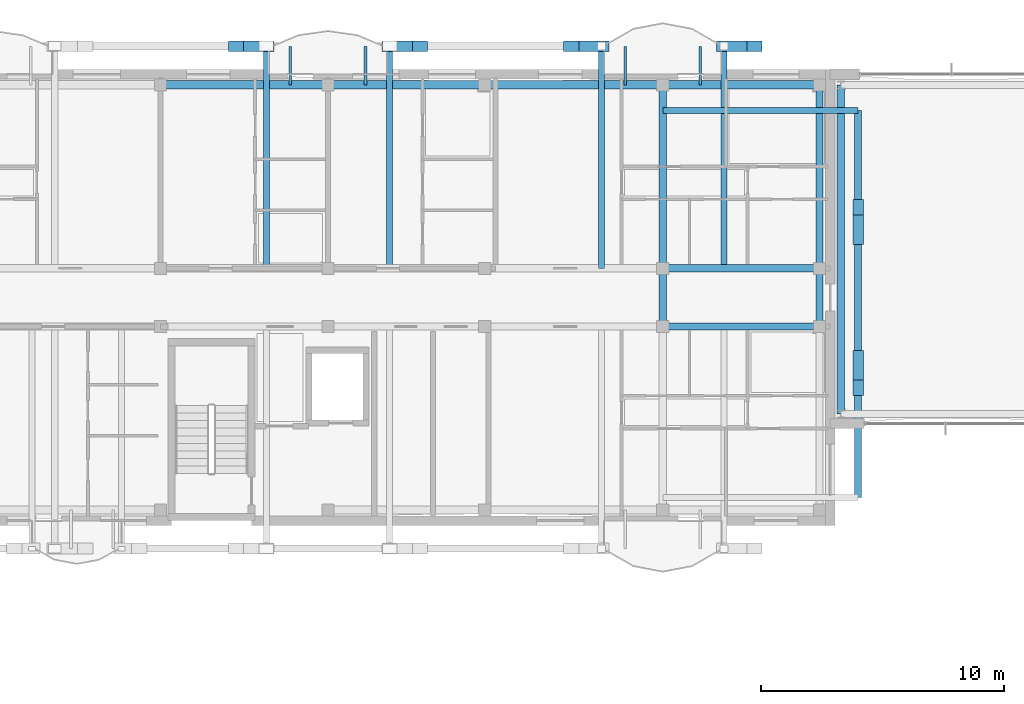
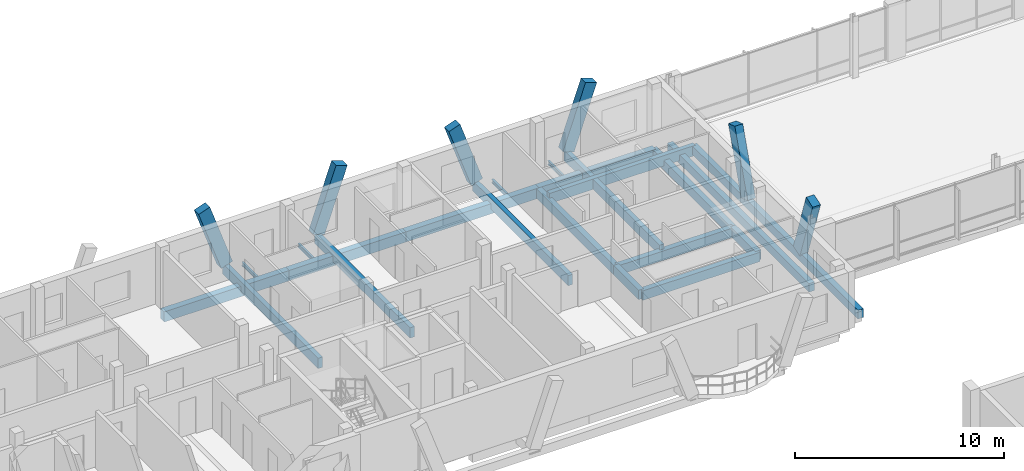
# One storey, part 79 of 189: 21 beams, 6 members.
"""IFC4 building model written with IfcOpenShell, lengths in metres."""

from ifc_helpers import new_model, si_unit, direction, frame, origin, origin_2d, place, context, subcontext, project, spatial, rectangle, i_section, extrude, material, material_profile, profile_set, type_object, element, save


model = new_model("IFC4")

# Units and contexts
model_context = context("Model", 3, precision=1e-05, world=origin(), true_north=direction((0.0, 1.0)))
body_context = subcontext(model_context, "Body", "Model", "MODEL_VIEW")
ifc_project = project(units=[si_unit("LENGTHUNIT", "METRE"), si_unit("AREAUNIT", "SQUARE_METRE"), si_unit("VOLUMEUNIT", "CUBIC_METRE"), si_unit("PLANEANGLEUNIT", "RADIAN"), si_unit("MASSUNIT", "GRAM", prefix="KILO")], contexts=[model_context])

# Site, building, storey
site_placement = place(None, origin())
site = spatial("IfcSite", under=ifc_project, at=site_placement, CompositionType="ELEMENT")
building_placement = place(site_placement, origin())
building = spatial("IfcBuilding", under=site, at=building_placement, Name="Zavelmont Quarter", CompositionType="ELEMENT")
storey_placement = place(building_placement, frame((0.0, 0.0, 4.39990234375)))
storey = spatial("IfcBuildingStorey", under=building, at=storey_placement, Name="L01", CompositionType="ELEMENT", Elevation=4.39990234375)

# Beams
ifc_material_1 = material(Name="Concrete C35/45", Category="concrete")
ifc_material_profile_1 = material_profile(ifc_material_1, rectangle(XDim=0.35009765625, YDim=0.60009765625, at=origin_2d()), Name="RC350X600")
ifc_profile_set_1 = profile_set([ifc_material_profile_1], Name="Concrete C35/45")
beam_type_1 = type_object("IfcBeamType", Name="BM01", PredefinedType="SPANDREL", material=ifc_profile_set_1)
beam_1_placement = place(storey_placement, frame((27.60009765625, 115.56005859375, -0.579833984375), z_axis=(1.0, 0.0, 0.0), x_axis=(0.0, 1.0, 0.0)))
element("IfcBeam", 1, at=beam_1_placement, inside=storey, type_object=beam_type_1, Name="L01 beam BM01 5/S to 6/S", PredefinedType="SPANDREL", context=body_context, shape_type="SweptSolid", body=[
    extrude(rectangle(XDim=0.35009765625, YDim=0.60009765625, at=origin_2d()), origin(), (0.0, 0.0, 1.0), 6.89990234375),
])
beam_2_placement = place(storey_placement, frame((34.5, 115.56005859375, -0.579833984375), z_axis=(1.0, 0.0, 0.0), x_axis=(0.0, 1.0, 0.0)))
element("IfcBeam", 2, at=beam_2_placement, inside=storey, type_object=beam_type_1, Name="L01 beam BM01 6/S to 7/S", PredefinedType="SPANDREL", context=body_context, shape_type="SweptSolid", body=[
    extrude(rectangle(XDim=0.35009765625, YDim=0.60009765625, at=origin_2d()), origin(), (0.0, 0.0, 1.0), 6.4599609375),
])
beam_3_placement = place(storey_placement, frame((40.9599609375, 115.56005859375, -0.579833984375), z_axis=(1.0, 0.0, 0.0), x_axis=(0.0, 1.0, 0.0)))
element("IfcBeam", 3, at=beam_3_placement, inside=storey, type_object=beam_type_1, Name="L01 beam BM01 7/S to 8/S", PredefinedType="SPANDREL", context=body_context, shape_type="SweptSolid", body=[
    extrude(rectangle(XDim=0.35009765625, YDim=0.60009765625, at=origin_2d()), origin(), (0.0, 0.0, 1.0), 7.340087890625),
])
beam_4_placement = place(storey_placement, frame((48.300048828125, 115.56005859375, -0.579833984375), z_axis=(1.0, 0.0, 0.0), x_axis=(0.0, 1.0, 0.0)))
element("IfcBeam", 4, at=beam_4_placement, inside=storey, type_object=beam_type_1, Name="L01 beam BM01 8/S to 9/S", PredefinedType="SPANDREL", context=body_context, shape_type="SweptSolid", body=[
    extrude(rectangle(XDim=0.35009765625, YDim=0.60009765625, at=origin_2d()), origin(), (0.0, 0.0, 1.0), 6.4599609375),
])
ifc_material_profile_2 = material_profile(ifc_material_1, rectangle(XDim=0.300048828125, YDim=0.550048828125, at=origin_2d()), Name="RC300X550")
ifc_profile_set_2 = profile_set([ifc_material_profile_2], Name="Concrete C35/45")
beam_type_2 = type_object("IfcBeamType", Name="BM02", PredefinedType="SPANDREL", material=ifc_profile_set_2)
for number, where, z_axis, x_axis, name in (
    (5, (48.300048828125, 105.60009765625, -0.554931640625), (1.0, 0.0, 0.0), (0.0, 1.0, 0.0), "L01 beam BM02 8/Q to 9/Q"),
    (6, (48.300048828125, 108.0, -0.554931640625), (1.0, 0.0, 0.0), (0.0, 1.0, 0.0), "L01 beam BM02 8/R to 9/R"),
):
    element("IfcBeam", number, at=place(storey_placement, frame(where, z_axis=z_axis, x_axis=x_axis)), inside=storey, type_object=beam_type_2, Name=name, PredefinedType="SPANDREL", context=body_context, shape_type="SweptSolid", body=[
        extrude(rectangle(XDim=0.300048828125, YDim=0.550048828125, at=origin_2d()), origin(), (0.0, 0.0, 1.0), 6.4599609375),
    ])
beam_5_placement = place(storey_placement, frame((48.300048828125, 105.60009765625, -0.554931640625), z_axis=(0.0, 1.0, 0.0), x_axis=(-1.0, 0.0, 0.0)))
element("IfcBeam", 7, at=beam_5_placement, inside=storey, type_object=beam_type_2, Name="L01 beam BM02 8/Q to 8/R", PredefinedType="SPANDREL", context=body_context, shape_type="SweptSolid", body=[
    extrude(rectangle(XDim=0.300048828125, YDim=0.550048828125, at=origin_2d()), origin(), (0.0, 0.0, 1.0), 2.39990234375),
])
beam_6_placement = place(storey_placement, frame((48.300048828125, 108.0, -0.554931640625), z_axis=(0.0, 1.0, 0.0), x_axis=(-1.0, 0.0, 0.0)))
element("IfcBeam", 8, at=beam_6_placement, inside=storey, type_object=beam_type_2, Name="L01 beam BM02 8/R to 8/S", PredefinedType="SPANDREL", context=body_context, shape_type="SweptSolid", body=[
    extrude(rectangle(XDim=0.300048828125, YDim=0.550048828125, at=origin_2d()), origin(), (0.0, 0.0, 1.0), 7.56005859375),
])
beam_7_placement = place(storey_placement, frame((54.760009765625, 105.60009765625, -0.554931640625), z_axis=(0.0, 1.0, 0.0), x_axis=(-1.0, 0.0, 0.0)))
element("IfcBeam", 9, at=beam_7_placement, inside=storey, type_object=beam_type_2, Name="L01 beam BM02 9/Q to 9/R", PredefinedType="SPANDREL", context=body_context, shape_type="SweptSolid", body=[
    extrude(rectangle(XDim=0.300048828125, YDim=0.550048828125, at=origin_2d()), origin(), (0.0, 0.0, 1.0), 2.39990234375),
])
beam_8_placement = place(storey_placement, frame((54.760009765625, 108.0, -0.554931640625), z_axis=(0.0, 1.0, 0.0), x_axis=(-1.0, 0.0, 0.0)))
element("IfcBeam", 10, at=beam_8_placement, inside=storey, type_object=beam_type_2, Name="L01 beam BM02 9/R to 9/S", PredefinedType="SPANDREL", context=body_context, shape_type="SweptSolid", body=[
    extrude(rectangle(XDim=0.300048828125, YDim=0.550048828125, at=origin_2d()), origin(), (0.0, 0.0, 1.0), 7.56005859375),
])
ifc_material_profile_3 = material_profile(ifc_material_1, rectangle(XDim=0.300048828125, YDim=0.5, at=origin_2d()), Name="RC300X500")
ifc_profile_set_3 = profile_set([ifc_material_profile_3], Name="Concrete C35/45")
beam_type_3 = type_object("IfcBeamType", Name="BM03", PredefinedType="BEAM", material=ifc_profile_set_3)
beam_9_placement = place(storey_placement, frame((55.639892578125, 102.0, -0.52978515625), z_axis=(0.0, 1.0, 0.0), x_axis=(-1.0, 0.0, 0.0)))
element("IfcBeam", 11, at=beam_9_placement, inside=storey, type_object=beam_type_3, Name="L01 beam BM03 9/Q to 9/S", PredefinedType="BEAM", context=body_context, shape_type="SweptSolid", body=[
    extrude(rectangle(XDim=0.300048828125, YDim=0.5, at=origin_2d()), origin(), (0.0, 0.0, 1.0), 13.56005859375),
])
beam_10_placement = place(storey_placement, frame((56.35009765625, 98.550048828125, -0.25), z_axis=(0.0, 1.0, 0.0), x_axis=(-1.0, 0.0, 0.0)))
element("IfcBeam", 12, at=beam_10_placement, inside=storey, type_object=beam_type_3, Name="L01 beam BM03 9/P to 9/S", PredefinedType="BEAM", context=body_context, shape_type="SweptSolid", body=[
    extrude(rectangle(XDim=0.300048828125, YDim=0.5, at=origin_2d()), origin(), (0.0, 0.0, 1.0), 15.949951171875),
])
ifc_material_2 = material(Name="Steel S355", Category="steel")
ifc_material_profile_4 = material_profile(ifc_material_2, i_section(OverallWidth=0.110107421875, OverallDepth=0.219970703125, WebThickness=0.005859375, FlangeThickness=0.00927734375, at=origin_2d()), Name="IPE 220")
ifc_profile_set_4 = profile_set([ifc_material_profile_4], Name="Steel S355")
beam_type_4 = type_object("IfcBeamType", Name="BM15", PredefinedType="JOIST", material=ifc_profile_set_4)
for number, where, z_axis, x_axis, name in (
    (13, (32.949951171875, 115.56005859375, -0.391845703125), (0.0, 1.0, 0.0), (-1.0, 0.0, 0.0), "L01 beam BM15 6/S to 6/S"),
    (14, (36.050048828125, 115.56005859375, -0.391845703125), (0.0, 1.0, 0.0), (-1.0, 0.0, 0.0), "L01 beam BM15 6/S to 6/S"),
    (15, (46.75, 115.56005859375, -0.391845703125), (0.0, 1.0, 0.0), (-1.0, 0.0, 0.0), "L01 beam BM15 8/S to 8/S"),
    (16, (49.85009765625, 115.56005859375, -0.391845703125), (0.0, 1.0, 0.0), (-1.0, 0.0, 0.0), "L01 beam BM15 8/S to 8/S"),
):
    element("IfcBeam", number, at=place(storey_placement, frame(where, z_axis=z_axis, x_axis=x_axis)), inside=storey, type_object=beam_type_4, Name=name, PredefinedType="JOIST", context=body_context, shape_type="SweptSolid", body=[
        extrude(i_section(OverallWidth=0.110107421875, OverallDepth=0.219970703125, WebThickness=0.005859375, FlangeThickness=0.00927734375, at=origin_2d()), origin(), (0.0, 0.0, 1.0), 1.58984375),
    ])
ifc_material_3 = material(Name="Concrete C40/50", Category="concrete")
ifc_material_profile_5 = material_profile(ifc_material_3, rectangle(XDim=0.25, YDim=0.60009765625, at=origin_2d()), Name="RC250X600")
ifc_profile_set_5 = profile_set([ifc_material_profile_5], Name="Concrete C40/50")
beam_type_5 = type_object("IfcBeamType", Name="BM18", PredefinedType="BEAM", material=ifc_profile_set_5)
for number, where, z_axis, x_axis, name in (
    (17, (31.960693359375, 108.0, -0.2998046875), (0.0, 1.0, 0.0), (-1.0, 0.0, 0.0), "L01 beam BM18 6/R to 6/S"),
    (18, (37.039306640625, 108.0, -0.2998046875), (0.0, 1.0, 0.0), (-1.0, 0.0, 0.0), "L01 beam BM18 6/R to 6/S"),
    (19, (45.773193359375, 108.0, -0.2998046875), (0.0, 1.0, 0.0), (-1.0, 0.0, 0.0), "L01 beam BM18 8/R to 8/S"),
    (20, (50.82666015625, 108.0, -0.2998046875), (0.0, 1.0, 0.0), (-1.0, 0.0, 0.0), "L01 beam BM18 8/R to 8/S"),
):
    element("IfcBeam", number, at=place(storey_placement, frame(where, z_axis=z_axis, x_axis=x_axis)), inside=storey, type_object=beam_type_5, Name=name, PredefinedType="BEAM", context=body_context, shape_type="SweptSolid", body=[
        extrude(rectangle(XDim=0.25, YDim=0.60009765625, at=origin_2d()), origin(), (0.0, 0.0, 1.0), 9.14990234375),
    ])
beam_11_placement = place(storey_placement, frame((48.300048828125, 114.5, -0.2998046875), z_axis=(1.0, 0.0, 0.0), x_axis=(0.0, 1.0, 0.0)))
element("IfcBeam", 21, at=beam_11_placement, inside=storey, type_object=beam_type_5, Name="L01 beam BM18 8/S to 9/S", PredefinedType="BEAM", context=body_context, shape_type="SweptSolid", body=[
    extrude(rectangle(XDim=0.25, YDim=0.60009765625, at=origin_2d()), origin(), (0.0, 0.0, 1.0), 8.050048828125),
])

# Members
ifc_material_4 = material(Name="White architectural precast concrete C40/50", Category="concrete")
ifc_material_profile_6 = material_profile(ifc_material_4, rectangle(XDim=0.43994140625, YDim=0.659912109375, at=origin_2d()), Name="PCR320X480")
ifc_profile_set_6 = profile_set([ifc_material_profile_6], Name="White architectural precast concrete C40/50")
member_type = type_object("IfcMemberType", Name="VR01M", PredefinedType="CHORD", material=ifc_profile_set_6)
for number, where, z_axis, x_axis, name in (
    (22, (31.960693359375, 117.14990234375, 0.0), (-0.329603119736, 0.0, 0.944119581123), (0.0, -1.0, 0.0), "L01 member VR01M 6/S to 5/S"),
    (23, (37.039306640625, 117.14990234375, 0.0), (0.329603119736, 0.0, 0.944119581123), (0.0, 1.0, 0.0), "L01 member VR01M 6/S to 7/S"),
):
    element("IfcMember", number, at=place(storey_placement, frame(where, z_axis=z_axis, x_axis=x_axis)), inside=storey, type_object=member_type, Name=name, PredefinedType="CHORD", context=body_context, shape_type="SweptSolid", body=[
        extrude(rectangle(XDim=0.43994140625, YDim=0.659912109375, at=origin_2d()), origin(), (0.0, 0.0, 1.0), 3.813232421875),
    ])
for number, where, z_axis, x_axis, name in (
    (24, (45.773193359375, 117.14990234375, 0.0), (-0.327431859499, 0.0, 0.944874794555), (0.0, -1.0, 0.0), "L01 member VR01M 8/S to 7/S"),
    (25, (50.82666015625, 117.14990234375, 0.0), (0.327431859499, 0.0, 0.944874794555), (0.0, 1.0, 0.0), "L01 member VR01M 8/S to 9/S"),
):
    element("IfcMember", number, at=place(storey_placement, frame(where, z_axis=z_axis, x_axis=x_axis)), inside=storey, type_object=member_type, Name=name, PredefinedType="CHORD", context=body_context, shape_type="SweptSolid", body=[
        extrude(rectangle(XDim=0.43994140625, YDim=0.659912109375, at=origin_2d()), origin(), (0.0, 0.0, 1.0), 3.81005859375),
    ])
for number, where, z_axis, x_axis, name in (
    (26, (56.35009765625, 104.30419921875, 0.0), (0.0, -0.322096088967, 0.946706981844), (1.0, 0.0, 0.0), "L01 member VR01M 9/Q to 9/Q"),
    (27, (56.35009765625, 109.2958984375, 0.0), (0.0, 0.322096088967, 0.946706981844), (-1.0, 0.0, 0.0), "L01 member VR01M 9/R to 9/R"),
):
    element("IfcMember", number, at=place(storey_placement, frame(where, z_axis=z_axis, x_axis=x_axis)), inside=storey, type_object=member_type, Name=name, PredefinedType="CHORD", context=body_context, shape_type="SweptSolid", body=[
        extrude(rectangle(XDim=0.43994140625, YDim=0.659912109375, at=origin_2d()), origin(), (0.0, 0.0, 1.0), 3.802734375),
    ])

save(model, "model.ifc")
